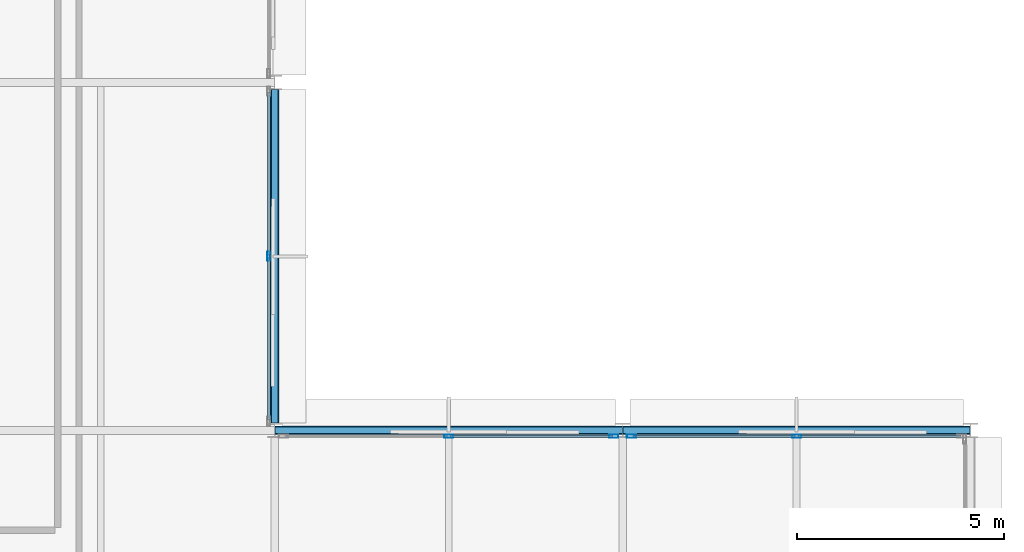
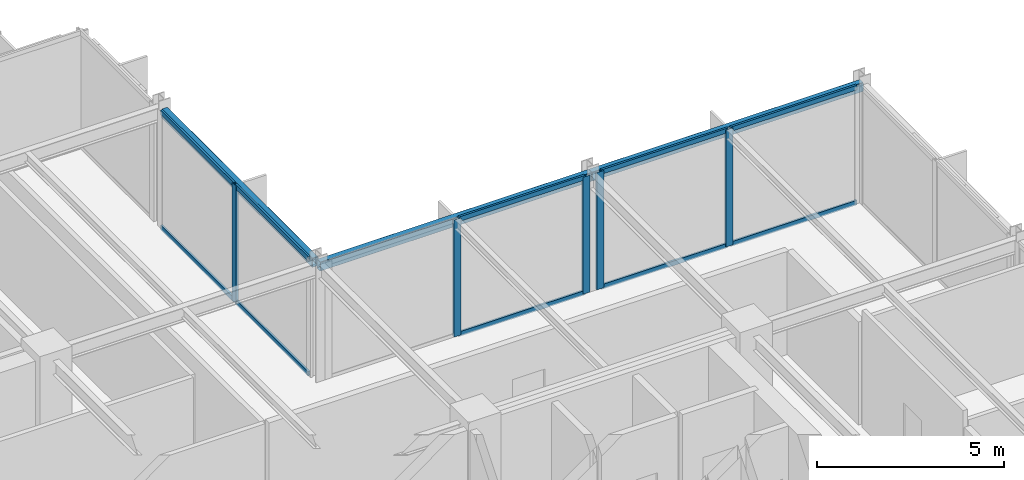
# One storey, part 10 of 21: 15 members, 3 beams, 3 elements without a shape of their own.
"""IFC4 building model written with IfcOpenShell, lengths in metres."""

from ifc_helpers import new_model, si_unit, direction, frame, origin, origin_2d, place, context, subcontext, project, spatial, hollow_rectangle, extrude, material, layer, layer_set, material_profile, profile_set, type_object, element, aggregate, save


model = new_model("IFC4")

# Units and contexts
model_context = context("Model", 3, precision=1e-05, world=origin(), true_north=direction((0.0, 1.0)))
body_context = subcontext(model_context, "Body", "Model", "MODEL_VIEW")
ifc_project = project(units=[si_unit("LENGTHUNIT", "METRE"), si_unit("AREAUNIT", "SQUARE_METRE"), si_unit("VOLUMEUNIT", "CUBIC_METRE"), si_unit("PLANEANGLEUNIT", "RADIAN"), si_unit("MASSUNIT", "GRAM", prefix="KILO")], contexts=[model_context])

# Site, building, storey
site_placement = place(None, origin())
site = spatial("IfcSite", under=ifc_project, at=site_placement, CompositionType="ELEMENT")
building_placement = place(site_placement, origin())
building = spatial("IfcBuilding", under=site, at=building_placement, Name="Nerrivon Quay Data Exchange", CompositionType="ELEMENT")
storey_placement = place(building_placement, frame((0.0, 0.0, 220.60009765625)))
storey = spatial("IfcBuildingStorey", under=building, at=storey_placement, Name="L52", CompositionType="ELEMENT", Elevation=220.60009765625)

# Beams
ifc_material_1 = material(Name="Steel Grade C350L0 (350 MPa)", Category="steel")
ifc_material_profile_1 = material_profile(ifc_material_1, hollow_rectangle(XDim=0.199951171875, YDim=0.300048828125, WallThickness=0.012451171875, InnerFilletRadius=0.018798828125, OuterFilletRadius=0.03125, at=origin_2d()), Name="300x200x12.5RHS")
ifc_profile_set_1 = profile_set([ifc_material_profile_1], Name="Steel Grade C350L0 (350 MPa)")
beam_type = type_object("IfcBeamType", Name="BM-SP3-300x200RHS", PredefinedType="SPANDREL", material=ifc_profile_set_1)
beam_1_placement = place(storey_placement, frame((25.2099609375, 25.199951171875, 3.6748046875), z_axis=(1.0, 0.0, 0.0), x_axis=(0.0, 1.0, 0.0)))
element("IfcBeam", 1, at=beam_1_placement, inside=storey, type_object=beam_type, Name="L52 EW Girder Y=25.2 (25.2..33.6)", PredefinedType="SPANDREL", context=body_context, shape_type="SweptSolid", body=[
    extrude(hollow_rectangle(XDim=0.199951171875, YDim=0.300048828125, WallThickness=0.012451171875, InnerFilletRadius=0.018798828125, OuterFilletRadius=0.03125, at=origin_2d()), origin(), (0.0, 0.0, 1.0), 8.380126953125),
])
beam_2_placement = place(storey_placement, frame((33.610107421875, 25.199951171875, 3.6748046875), z_axis=(1.0, 0.0, 0.0), x_axis=(0.0, 1.0, 0.0)))
element("IfcBeam", 2, at=beam_2_placement, inside=storey, type_object=beam_type, Name="L52 EW Girder Y=25.2 (33.6..42.0)", PredefinedType="SPANDREL", context=body_context, shape_type="SweptSolid", body=[
    extrude(hollow_rectangle(XDim=0.199951171875, YDim=0.300048828125, WallThickness=0.012451171875, InnerFilletRadius=0.018798828125, OuterFilletRadius=0.03125, at=origin_2d()), origin(), (0.0, 0.0, 1.0), 8.3798828125),
])
beam_3_placement = place(storey_placement, frame((25.199951171875, 25.375, 3.6748046875), z_axis=(0.0, 1.0, 0.0), x_axis=(-1.0, 0.0, 0.0)))
element("IfcBeam", 3, at=beam_3_placement, inside=storey, type_object=beam_type, Name="L52 NS Girder X=25.2 (25.2..33.6)", PredefinedType="SPANDREL", context=body_context, shape_type="SweptSolid", body=[
    extrude(hollow_rectangle(XDim=0.199951171875, YDim=0.300048828125, WallThickness=0.012451171875, InnerFilletRadius=0.018798828125, OuterFilletRadius=0.03125, at=origin_2d()), origin(), (0.0, 0.0, 1.0), 8.050048828125),
])

# Curtain wall, member
ifc_material_2 = material(Name="Anodised aluminium 6063-T6", Category="aluminium")
ifc_layer = layer(ifc_material_2, 0.22998046875)
ifc_layer_set = layer_set([ifc_layer], Name="Anodised aluminium 6063-T6")
curtain_wall_type = type_object("IfcCurtainWallType", Name="CW-SYS-05", PredefinedType="NOTDEFINED", material=ifc_layer_set)
curtain_wall_1_placement = place(storey_placement, origin())
curtain_wall_1 = element("IfcCurtainWall", 4, at=curtain_wall_1_placement, inside=storey, type_object=curtain_wall_type, Name="L52 Unitised Curtain Wall 23", PredefinedType="NOTDEFINED")
ifc_material_profile_2 = material_profile(ifc_material_2, hollow_rectangle(XDim=0.074951171875, YDim=0.219970703125, WallThickness=0.00390625, at=origin_2d()), Name="ALU-MULL-220x75")
ifc_profile_set_2 = profile_set([ifc_material_profile_2], Name="Anodised aluminium 6063-T6")
member_type_1 = type_object("IfcMemberType", Name="CWM-220x75", PredefinedType="MULLION", material=ifc_profile_set_2)
member_1_placement = place(storey_placement, frame((25.06005859375, 29.39990234375, 0.0), z_axis=(0.0, 0.0, 1.0), x_axis=(1.0, 0.0, 0.0)))
member_1 = element("IfcMember", 5, at=member_1_placement, type_object=member_type_1, Name="CW05 mullion 2", PredefinedType="MULLION", context=body_context, shape_type="SweptSolid", body=[
    extrude(hollow_rectangle(XDim=0.074951171875, YDim=0.219970703125, WallThickness=0.00390625, at=origin_2d()), origin(), (0.0, 0.0, 1.0), 3.824951171875),
])

# Curtain wall, members
curtain_wall_2_placement = place(storey_placement, origin())
curtain_wall_2 = element("IfcCurtainWall", 6, at=curtain_wall_2_placement, inside=storey, type_object=curtain_wall_type, Name="L52 Unitised Curtain Wall 24", PredefinedType="NOTDEFINED")
member_2_placement = place(storey_placement, frame((29.39990234375, 25.06005859375, 0.0), z_axis=(0.0, 0.0, 1.0), x_axis=(0.0, 1.0, 0.0)))
member_2 = element("IfcMember", 7, at=member_2_placement, type_object=member_type_1, Name="CW05 mullion 2", PredefinedType="MULLION", context=body_context, shape_type="SweptSolid", body=[
    extrude(hollow_rectangle(XDim=0.074951171875, YDim=0.219970703125, WallThickness=0.00390625, at=origin_2d()), origin(), (0.0, 0.0, 1.0), 3.824951171875),
])
member_3_placement = place(storey_placement, frame((33.387451171875, 25.06005859375, 0.0), z_axis=(0.0, 0.0, 1.0), x_axis=(0.0, 1.0, 0.0)))
member_3 = element("IfcMember", 8, at=member_3_placement, type_object=member_type_1, Name="CW05 mullion 3", PredefinedType="MULLION", context=body_context, shape_type="SweptSolid", body=[
    extrude(hollow_rectangle(XDim=0.074951171875, YDim=0.219970703125, WallThickness=0.00390625, at=origin_2d()), origin(), (0.0, 0.0, 1.0), 3.824951171875),
])

curtain_wall_3_placement = place(storey_placement, origin())
curtain_wall_3 = element("IfcCurtainWall", 9, at=curtain_wall_3_placement, inside=storey, type_object=curtain_wall_type, Name="L52 Unitised Curtain Wall 25", PredefinedType="NOTDEFINED")
member_4_placement = place(storey_placement, frame((33.8125, 25.06005859375, 0.0), z_axis=(0.0, 0.0, 1.0), x_axis=(0.0, 1.0, 0.0)))
member_4 = element("IfcMember", 10, at=member_4_placement, type_object=member_type_1, Name="CW05 mullion 1", PredefinedType="MULLION", context=body_context, shape_type="SweptSolid", body=[
    extrude(hollow_rectangle(XDim=0.074951171875, YDim=0.219970703125, WallThickness=0.00390625, at=origin_2d()), origin(), (0.0, 0.0, 1.0), 3.824951171875),
])
member_5_placement = place(storey_placement, frame((37.800048828125, 25.06005859375, 0.0), z_axis=(0.0, 0.0, 1.0), x_axis=(0.0, 1.0, 0.0)))
member_5 = element("IfcMember", 11, at=member_5_placement, type_object=member_type_1, Name="CW05 mullion 2", PredefinedType="MULLION", context=body_context, shape_type="SweptSolid", body=[
    extrude(hollow_rectangle(XDim=0.074951171875, YDim=0.219970703125, WallThickness=0.00390625, at=origin_2d()), origin(), (0.0, 0.0, 1.0), 3.824951171875),
])

# Member
ifc_material_profile_3 = material_profile(ifc_material_2, hollow_rectangle(XDim=0.06494140625, YDim=0.14990234375, WallThickness=0.00341796875, at=origin_2d()), Name="ALU-TRAN-150x65")
ifc_profile_set_3 = profile_set([ifc_material_profile_3], Name="Anodised aluminium 6063-T6")
member_type_2 = type_object("IfcMemberType", Name="CWT-150x65", PredefinedType="USERDEFINED", material=ifc_profile_set_3)
member_6_placement = place(storey_placement, frame((25.06005859375, 33.35009765625, 0.032470703125), z_axis=(0.0, -1.0, 0.0), x_axis=(1.0, 0.0, 0.0)))
member_6 = element("IfcMember", 12, at=member_6_placement, type_object=member_type_2, Name="CW05 transom 1.1", ObjectType="TRANSOM", PredefinedType="USERDEFINED", context=body_context, shape_type="SweptSolid", body=[
    extrude(hollow_rectangle(XDim=0.06494140625, YDim=0.14990234375, WallThickness=0.00341796875, at=origin_2d()), origin(), (0.0, 0.0, 1.0), 3.91259765625),
])

member_7_placement = place(storey_placement, frame((25.06005859375, 33.35009765625, 3.79248046875), z_axis=(0.0, -1.0, 0.0), x_axis=(1.0, 0.0, 0.0)))
member_7 = element("IfcMember", 13, at=member_7_placement, type_object=member_type_2, Name="CW05 transom 1.2", ObjectType="TRANSOM", PredefinedType="USERDEFINED", context=body_context, shape_type="SweptSolid", body=[
    extrude(hollow_rectangle(XDim=0.06494140625, YDim=0.14990234375, WallThickness=0.00341796875, at=origin_2d()), origin(), (0.0, 0.0, 1.0), 3.91259765625),
])

member_8_placement = place(storey_placement, frame((25.06005859375, 29.362548828125, 0.032470703125), z_axis=(0.0, -1.0, 0.0), x_axis=(1.0, 0.0, 0.0)))
member_8 = element("IfcMember", 14, at=member_8_placement, type_object=member_type_2, Name="CW05 transom 2.1", ObjectType="TRANSOM", PredefinedType="USERDEFINED", context=body_context, shape_type="SweptSolid", body=[
    extrude(hollow_rectangle(XDim=0.06494140625, YDim=0.14990234375, WallThickness=0.00341796875, at=origin_2d()), origin(), (0.0, 0.0, 1.0), 3.91259765625),
])

member_9_placement = place(storey_placement, frame((25.06005859375, 29.362548828125, 3.79248046875), z_axis=(0.0, -1.0, 0.0), x_axis=(1.0, 0.0, 0.0)))
member_9 = element("IfcMember", 15, at=member_9_placement, type_object=member_type_2, Name="CW05 transom 2.2", ObjectType="TRANSOM", PredefinedType="USERDEFINED", context=body_context, shape_type="SweptSolid", body=[
    extrude(hollow_rectangle(XDim=0.06494140625, YDim=0.14990234375, WallThickness=0.00341796875, at=origin_2d()), origin(), (0.0, 0.0, 1.0), 3.91259765625),
])

aggregate(curtain_wall_1, [member_1, member_6, member_7, member_8, member_9])

member_10_placement = place(storey_placement, frame((29.4375, 25.06005859375, 0.032470703125), z_axis=(1.0, 0.0, 0.0), x_axis=(0.0, 1.0, 0.0)))
member_10 = element("IfcMember", 16, at=member_10_placement, type_object=member_type_2, Name="CW05 transom 2.1", ObjectType="TRANSOM", PredefinedType="USERDEFINED", context=body_context, shape_type="SweptSolid", body=[
    extrude(hollow_rectangle(XDim=0.06494140625, YDim=0.14990234375, WallThickness=0.00341796875, at=origin_2d()), origin(), (0.0, 0.0, 1.0), 3.91259765625),
])

member_11_placement = place(storey_placement, frame((29.4375, 25.06005859375, 3.79248046875), z_axis=(1.0, 0.0, 0.0), x_axis=(0.0, 1.0, 0.0)))
member_11 = element("IfcMember", 17, at=member_11_placement, type_object=member_type_2, Name="CW05 transom 2.2", ObjectType="TRANSOM", PredefinedType="USERDEFINED", context=body_context, shape_type="SweptSolid", body=[
    extrude(hollow_rectangle(XDim=0.06494140625, YDim=0.14990234375, WallThickness=0.00341796875, at=origin_2d()), origin(), (0.0, 0.0, 1.0), 3.91259765625),
])

aggregate(curtain_wall_2, [member_2, member_3, member_10, member_11])

member_12_placement = place(storey_placement, frame((33.85009765625, 25.06005859375, 0.032470703125), z_axis=(1.0, 0.0, 0.0), x_axis=(0.0, 1.0, 0.0)))
member_12 = element("IfcMember", 18, at=member_12_placement, type_object=member_type_2, Name="CW05 transom 1.1", ObjectType="TRANSOM", PredefinedType="USERDEFINED", context=body_context, shape_type="SweptSolid", body=[
    extrude(hollow_rectangle(XDim=0.06494140625, YDim=0.14990234375, WallThickness=0.00341796875, at=origin_2d()), origin(), (0.0, 0.0, 1.0), 3.912353515625),
])

member_13_placement = place(storey_placement, frame((33.85009765625, 25.06005859375, 3.79248046875), z_axis=(1.0, 0.0, 0.0), x_axis=(0.0, 1.0, 0.0)))
member_13 = element("IfcMember", 19, at=member_13_placement, type_object=member_type_2, Name="CW05 transom 1.2", ObjectType="TRANSOM", PredefinedType="USERDEFINED", context=body_context, shape_type="SweptSolid", body=[
    extrude(hollow_rectangle(XDim=0.06494140625, YDim=0.14990234375, WallThickness=0.00341796875, at=origin_2d()), origin(), (0.0, 0.0, 1.0), 3.912353515625),
])

member_14_placement = place(storey_placement, frame((37.83740234375, 25.06005859375, 0.032470703125), z_axis=(1.0, 0.0, 0.0), x_axis=(0.0, 1.0, 0.0)))
member_14 = element("IfcMember", 20, at=member_14_placement, type_object=member_type_2, Name="CW05 transom 2.1", ObjectType="TRANSOM", PredefinedType="USERDEFINED", context=body_context, shape_type="SweptSolid", body=[
    extrude(hollow_rectangle(XDim=0.06494140625, YDim=0.14990234375, WallThickness=0.00341796875, at=origin_2d()), origin(), (0.0, 0.0, 1.0), 3.91259765625),
])

member_15_placement = place(storey_placement, frame((37.83740234375, 25.06005859375, 3.79248046875), z_axis=(1.0, 0.0, 0.0), x_axis=(0.0, 1.0, 0.0)))
member_15 = element("IfcMember", 21, at=member_15_placement, type_object=member_type_2, Name="CW05 transom 2.2", ObjectType="TRANSOM", PredefinedType="USERDEFINED", context=body_context, shape_type="SweptSolid", body=[
    extrude(hollow_rectangle(XDim=0.06494140625, YDim=0.14990234375, WallThickness=0.00341796875, at=origin_2d()), origin(), (0.0, 0.0, 1.0), 3.91259765625),
])

aggregate(curtain_wall_3, [member_4, member_5, member_12, member_13, member_14, member_15])

save(model, "model.ifc")
